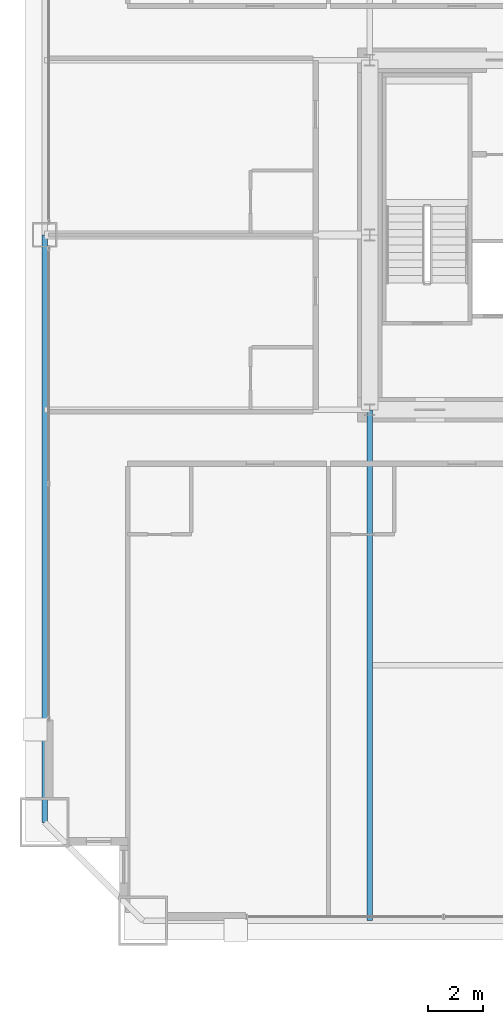
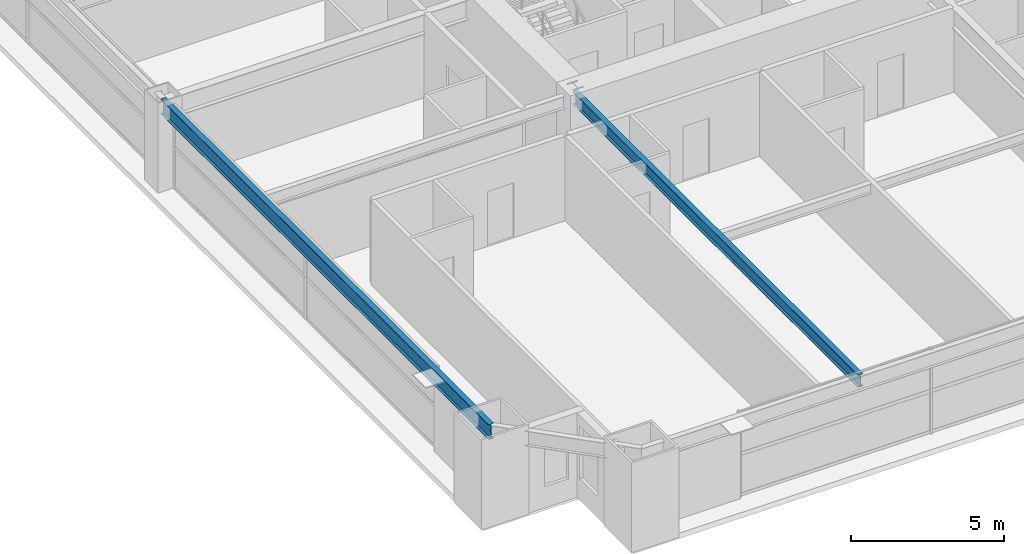
# One storey, part 7 of 45: 2 beams.
"""IFC4 building model written with IfcOpenShell, lengths in metres."""

from ifc_helpers import new_model, si_unit, direction, frame, origin, origin_2d, place, context, subcontext, project, spatial, i_section, extrude, source, transform, mapped, material, material_profile, profile_set, type_object, element, save


model = new_model("IFC4")

# Units and contexts
model_context = context("Model", 3, precision=1e-05, world=origin(), true_north=direction((0.0, 1.0)))
body_context = subcontext(model_context, "Body", "Model", "MODEL_VIEW")
ifc_project = project(units=[si_unit("LENGTHUNIT", "METRE"), si_unit("AREAUNIT", "SQUARE_METRE"), si_unit("VOLUMEUNIT", "CUBIC_METRE"), si_unit("PLANEANGLEUNIT", "RADIAN"), si_unit("MASSUNIT", "GRAM", prefix="KILO"), si_unit("THERMODYNAMICTEMPERATUREUNIT", "KELVIN"), si_unit("POWERUNIT", "WATT")], contexts=[model_context])

# Site, building, storey
site_placement = place(None, origin())
site = spatial("IfcSite", under=ifc_project, at=site_placement, CompositionType="ELEMENT")
building_placement = place(site_placement, origin())
building = spatial("IfcBuilding", under=site, at=building_placement, Name="Yuzanri Waterfront Tower", CompositionType="ELEMENT")
storey_placement = place(building_placement, frame((0.0, 0.0, 34.199951171875)))
storey = spatial("IfcBuildingStorey", under=building, at=storey_placement, Name="L08", CompositionType="ELEMENT", Elevation=34.199951171875)

# Beams
ifc_material_1 = material(Name="Steel Q355B", Category="steel")
ifc_material_profile_1 = material_profile(ifc_material_1, i_section(OverallWidth=0.199951171875, OverallDepth=0.60009765625, WebThickness=0.010986328125, FlangeThickness=0.01708984375, at=origin_2d()), Name="HN 600x200x11x17")
ifc_profile_set_1 = profile_set([ifc_material_profile_1], Name="Steel Q355B")
beam_type_1 = type_object("IfcBeamType", Name="Perimeter Spandrel Q355B HN 600x200", PredefinedType="SPANDREL", material=ifc_profile_set_1)
shared_shape_1 = source(origin(), body_context, "Body", "SweptSolid", [
    extrude(i_section(OverallWidth=0.199951171875, OverallDepth=0.60009765625, WebThickness=0.010986328125, FlangeThickness=0.01708984375, at=origin_2d()), origin(), (0.0, 0.0, 1.0), 21.5),
])
beam_1_placement = place(storey_placement, frame((11.89990234375, 25.800048828125, 3.080078125), z_axis=(0.0, -1.0, 0.0), x_axis=(1.0, 0.0, 0.0)))
element("IfcBeam", 1, at=beam_1_placement, inside=storey, type_object=beam_type_1, Name="L08 Perimeter Spandrel W2-W1", PredefinedType="SPANDREL", context=body_context, shape_type="MappedRepresentation", body=[
    mapped(shared_shape_1, transform((0.0, 0.0, 0.0), scale=1.0)),
])
ifc_material_2 = material(Name="Steel Q355B", Category="steel")
ifc_material_profile_2 = material_profile(ifc_material_2, i_section(OverallWidth=0.199951171875, OverallDepth=0.5, WebThickness=0.010009765625, FlangeThickness=0.01611328125, at=origin_2d()), Name="HN 500x200x10x16")
ifc_profile_set_2 = profile_set([ifc_material_profile_2], Name="Steel Q355B")
beam_type_2 = type_object("IfcBeamType", Name="Secondary Floor Beam Q355B HN 500x200", PredefinedType="BEAM", material=ifc_profile_set_2)
shared_shape_2 = source(origin(), body_context, "Body", "SweptSolid", [
    extrude(i_section(OverallWidth=0.199951171875, OverallDepth=0.5, WebThickness=0.010009765625, FlangeThickness=0.01611328125, at=origin_2d()), origin(), (0.0, 0.0, 1.0), 18.699951171875),
])
beam_2_placement = place(storey_placement, frame((23.800048828125, 19.39990234375, 3.130126953125), z_axis=(0.0, -1.0, 0.0), x_axis=(1.0, 0.0, 0.0)))
element("IfcBeam", 2, at=beam_2_placement, inside=storey, type_object=beam_type_2, Name="L08 South-West Core Line Beam", PredefinedType="BEAM", context=body_context, shape_type="MappedRepresentation", body=[
    mapped(shared_shape_2, transform((0.0, 0.0, 0.0), scale=1.0)),
])

save(model, "model.ifc")
